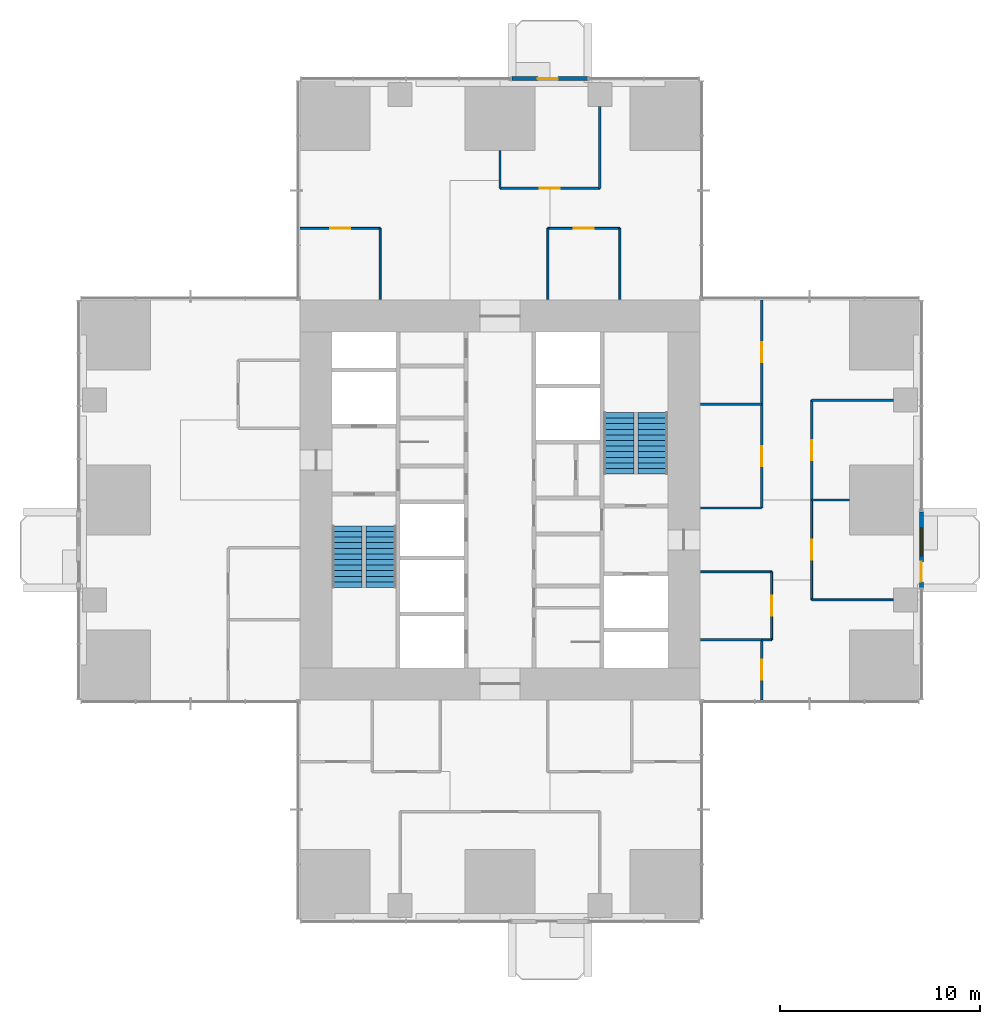
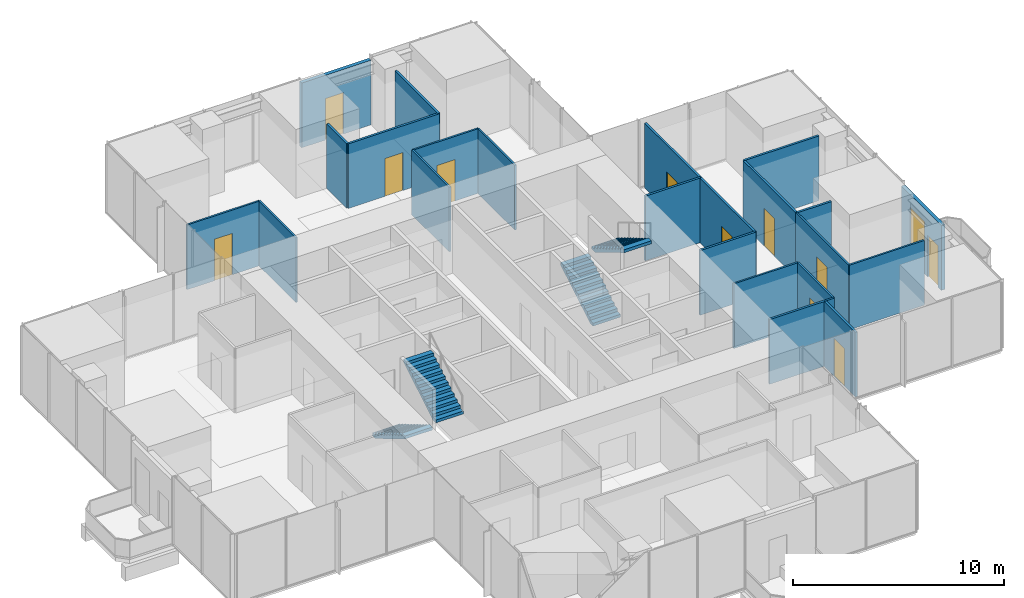
# One storey, part 10 of 13: 24 walls, 11 doors, 4 stair flights, 1 window, 12 openings, 2 elements without a shape of their own.
"""IFC4 building model written with IfcOpenShell, lengths in metres."""

from ifc_helpers import new_model, si_unit, direction, frame, frame_2d, origin, place, context, subcontext, project, spatial, polyline, rectangle, outline, extrude, material, layer, layer_set, type_object, element, fill, aggregate, save


model = new_model("IFC4")

# Units and contexts
model_context = context("Model", 3, precision=1e-05, world=origin(), true_north=direction((0.0, 1.0)))
body_context = subcontext(model_context, "Body", "Model", "MODEL_VIEW")
ifc_project = project(units=[si_unit("LENGTHUNIT", "METRE"), si_unit("AREAUNIT", "SQUARE_METRE"), si_unit("VOLUMEUNIT", "CUBIC_METRE"), si_unit("PLANEANGLEUNIT", "RADIAN"), si_unit("MASSUNIT", "GRAM", prefix="KILO")], contexts=[model_context])

# Site, building, storey
site_placement = place(None, origin())
site = spatial("IfcSite", under=ifc_project, at=site_placement, CompositionType="ELEMENT")
building_placement = place(site_placement, origin())
building = spatial("IfcBuilding", under=site, at=building_placement, Name="Svetlomir Tower", CompositionType="ELEMENT")
storey_placement = place(building_placement, frame((0.0, 0.0, 96.5)))
storey = spatial("IfcBuildingStorey", under=building, at=storey_placement, Name="L22", CompositionType="ELEMENT", Elevation=96.5)

# Wall, openings, door, window
ifc_material_1 = material(Name="Bronze anodised aluminium glazed screen", Category="aluminium")
ifc_layer_1 = layer(ifc_material_1, 0.199951171875)
ifc_layer_set_1 = layer_set([ifc_layer_1], Name="Bronze anodised aluminium glazed screen")
wall_type_1 = type_object("IfcWallType", Name="BALCONY SCREEN WALL 200", PredefinedType="USERDEFINED", material=ifc_layer_set_1)
wall_1_placement = place(storey_placement, frame((42.10009765625, 16.60009765625, 0.0), z_axis=(0.0, 0.0, 1.0), x_axis=(0.0, 1.0, 0.0)))
wall_1 = element("IfcWall", 1, at=wall_1_placement, inside=storey, type_object=wall_type_1, Name="Balcony screen E", ObjectType="GLAZED SCREEN", PredefinedType="USERDEFINED", context=body_context, shape_type="SweptSolid", body=[
    extrude(rectangle(XDim=3.7998046875, YDim=0.199951171875, at=frame_2d((1.89990234375, 0.0))), origin(), (0.0, 0.0, 1.0), 3.75),
])
opening_1_placement = place(wall_1_placement, frame((0.300048828125, 0.0, 0.0)))
opening_1 = element("IfcOpeningElement", 2, at=opening_1_placement, cuts=wall_1, Name="Opening BD", PredefinedType="OPENING", context=body_context, shape_type="SweptSolid", body=[
    extrude(rectangle(XDim=1.0, YDim=2.39990234375, at=frame_2d((0.5, 1.199951171875))), frame((0.0, 0.10986328125, 0.0), z_axis=(0.0, -1.0, 0.0), x_axis=(1.0, 0.0, 0.0)), (0.0, 0.0, 1.0), 0.219970703125),
])
opening_2_placement = place(wall_1_placement, frame((1.60009765625, 0.0, 0.300048828125)))
opening_2 = element("IfcOpeningElement", 3, at=opening_2_placement, cuts=wall_1, Name="Opening WS2", PredefinedType="OPENING", context=body_context, shape_type="SweptSolid", body=[
    extrude(rectangle(XDim=1.39990234375, YDim=2.699951171875, at=frame_2d((0.699951171875, 1.35009765625))), frame((0.0, 0.10986328125, 0.0), z_axis=(0.0, -1.0, 0.0), x_axis=(1.0, 0.0, 0.0)), (0.0, 0.0, 1.0), 0.219970703125),
])
ifc_material_2 = material(Name="Bronze anodised aluminium glazed door", Category="aluminium")
door_type_1 = type_object("IfcDoorType", Name="BALCONY DOOR BD 1000x2400", OperationType="SINGLE_SWING_LEFT", PredefinedType="DOOR", material=ifc_material_2)
door_1_placement = place(opening_1_placement, origin())
door_1 = element("IfcDoor", 4, at=door_1_placement, inside=storey, type_object=door_type_1, Name="Balcony screen E door", OperationType="SINGLE_SWING_LEFT", OverallHeight=2.39990234375, OverallWidth=1.0, PredefinedType="DOOR", context=body_context, shape_type="SweptSolid", body=[
    extrude(rectangle(XDim=1.0, YDim=2.39990234375, at=frame_2d((0.5, 1.199951171875))), frame((0.0, 0.02490234375, 0.0), z_axis=(0.0, -1.0, 0.0), x_axis=(1.0, 0.0, 0.0)), (0.0, 0.0, 1.0), 0.050048828125),
])
fill(opening_1, door_1)
ifc_material_3 = material(Name="Bronze anodised aluminium window", Category="aluminium")
window_type = type_object("IfcWindowType", Name="SCREEN WINDOW WS2 1400x2700", PartitioningType="SINGLE_PANEL", PredefinedType="WINDOW", material=ifc_material_3)
window_placement = place(opening_2_placement, origin())
window = element("IfcWindow", 5, at=window_placement, inside=storey, type_object=window_type, Name="Balcony screen E window 1", OverallHeight=2.699951171875, OverallWidth=1.39990234375, PartitioningType="SINGLE_PANEL", PredefinedType="WINDOW", context=body_context, shape_type="SweptSolid", body=[
    extrude(rectangle(XDim=1.39990234375, YDim=2.699951171875, at=frame_2d((0.699951171875, 1.35009765625))), frame((0.0, 0.030029296875, 0.0), z_axis=(0.0, -1.0, 0.0), x_axis=(1.0, 0.0, 0.0)), (0.0, 0.0, 1.0), 0.06005859375),
])
fill(opening_2, window)

# Wall, opening, door
wall_2_placement = place(storey_placement, frame((25.39990234375, 42.10009765625, 0.0), z_axis=(0.0, 0.0, 1.0), x_axis=(-1.0, 0.0, 0.0)))
wall_2 = element("IfcWall", 6, at=wall_2_placement, inside=storey, type_object=wall_type_1, Name="Balcony screen N", ObjectType="GLAZED SCREEN", PredefinedType="USERDEFINED", context=body_context, shape_type="SweptSolid", body=[
    extrude(rectangle(XDim=3.7998046875, YDim=0.199951171875, at=frame_2d((1.89990234375, 0.0))), origin(), (0.0, 0.0, 1.0), 3.75),
])
opening_3_placement = place(wall_2_placement, frame((1.5, 0.0, 0.0)))
opening_3 = element("IfcOpeningElement", 7, at=opening_3_placement, cuts=wall_2, Name="Opening BD", PredefinedType="OPENING", context=body_context, shape_type="SweptSolid", body=[
    extrude(rectangle(XDim=1.0, YDim=2.39990234375, at=frame_2d((0.5, 1.199951171875))), frame((0.0, 0.10986328125, 0.0), z_axis=(0.0, -1.0, 0.0), x_axis=(1.0, 0.0, 0.0)), (0.0, 0.0, 1.0), 0.219970703125),
])
door_2_placement = place(opening_3_placement, origin())
door_2 = element("IfcDoor", 8, at=door_2_placement, inside=storey, type_object=door_type_1, Name="Balcony screen N door", OperationType="SINGLE_SWING_LEFT", OverallHeight=2.39990234375, OverallWidth=1.0, PredefinedType="DOOR", context=body_context, shape_type="SweptSolid", body=[
    extrude(rectangle(XDim=1.0, YDim=2.39990234375, at=frame_2d((0.5, 1.199951171875))), frame((0.0, 0.02490234375, 0.0), z_axis=(0.0, -1.0, 0.0), x_axis=(1.0, 0.0, 0.0)), (0.0, 0.0, 1.0), 0.050048828125),
])
fill(opening_3, door_2)

ifc_material_4 = material(Name="Framed laminated glass partition", Category="glass")
ifc_layer_2 = layer(ifc_material_4, 0.10009765625)
ifc_layer_set_2 = layer_set([ifc_layer_2], Name="Framed laminated glass partition")
wall_type_2 = type_object("IfcWallType", Name="GLAZED PARTITION 100", PredefinedType="PARTITIONING", material=ifc_layer_set_2)
wall_3_placement = place(storey_placement, frame((11.0, 34.60009765625, 0.0), z_axis=(0.0, 0.0, 1.0), x_axis=(1.0, 0.0, 0.0)))
wall_3 = element("IfcWall", 9, at=wall_3_placement, inside=storey, type_object=wall_type_2, Name="Glazed partition L22", PredefinedType="PARTITIONING", context=body_context, shape_type="SweptSolid", body=[
    extrude(rectangle(XDim=4.0, YDim=0.10009765625, at=frame_2d((2.0, 0.0))), origin(), (0.0, 0.0, 1.0), 3.75),
])
opening_4_placement = place(wall_3_placement, frame((1.5, 0.0, 0.0)))
opening_4 = element("IfcOpeningElement", 10, at=opening_4_placement, cuts=wall_3, Name="Opening DG", PredefinedType="OPENING", context=body_context, shape_type="SweptSolid", body=[
    extrude(rectangle(XDim=1.0, YDim=2.39990234375, at=frame_2d((0.5, 1.199951171875))), frame((0.0, 0.06005859375, 0.0), z_axis=(0.0, -1.0, 0.0), x_axis=(1.0, 0.0, 0.0)), (0.0, 0.0, 1.0), 0.1201171875),
])
ifc_material_5 = material(Name="Framed laminated glass door", Category="glass")
door_type_2 = type_object("IfcDoorType", Name="GLAZED DOOR DG 1000x2400", OperationType="SINGLE_SWING_LEFT", PredefinedType="DOOR", material=ifc_material_5)
door_3_placement = place(opening_4_placement, origin())
door_3 = element("IfcDoor", 11, at=door_3_placement, inside=storey, type_object=door_type_2, Name="Client advisory room, 8 seats door L22", OperationType="SINGLE_SWING_RIGHT", OverallHeight=2.39990234375, OverallWidth=1.0, PredefinedType="DOOR", context=body_context, shape_type="SweptSolid", body=[
    extrude(rectangle(XDim=1.0, YDim=2.39990234375, at=frame_2d((0.5, 1.199951171875))), frame((0.0, 0.02490234375, 0.0), z_axis=(0.0, -1.0, 0.0), x_axis=(1.0, 0.0, 0.0)), (0.0, 0.0, 1.0), 0.050048828125),
])
fill(opening_4, door_3)

# Walls
for number, where, z_axis, x_axis, name in (
    (12, (15.0, 31.050048828125, 0.0), (0.0, 0.0, 1.0), (0.0, 1.0, 0.0), "Glazed partition L22"),
    (13, (23.39990234375, 31.050048828125, 0.0), (0.0, 0.0, 1.0), (0.0, 1.0, 0.0), "Glazed partition L22"),
):
    element("IfcWall", number, at=place(storey_placement, frame(where, z_axis=z_axis, x_axis=x_axis)), inside=storey, type_object=wall_type_2, Name=name, PredefinedType="PARTITIONING", context=body_context, shape_type="SweptSolid", body=[
        extrude(rectangle(XDim=3.550048828125, YDim=0.10009765625, at=frame_2d((1.77490234375, 0.0))), origin(), (0.0, 0.0, 1.0), 3.75),
    ])

# Wall, opening, door
wall_4_placement = place(storey_placement, frame((23.39990234375, 34.60009765625, 0.0), z_axis=(0.0, 0.0, 1.0), x_axis=(1.0, 0.0, 0.0)))
wall_4 = element("IfcWall", 14, at=wall_4_placement, inside=storey, type_object=wall_type_2, Name="Glazed partition L22", PredefinedType="PARTITIONING", context=body_context, shape_type="SweptSolid", body=[
    extrude(rectangle(XDim=3.60009765625, YDim=0.10009765625, at=frame_2d((1.800048828125, 0.0))), origin(), (0.0, 0.0, 1.0), 3.75),
])
opening_5_placement = place(wall_4_placement, frame((1.300048828125, 0.0, 0.0)))
opening_5 = element("IfcOpeningElement", 15, at=opening_5_placement, cuts=wall_4, Name="Opening DG", PredefinedType="OPENING", context=body_context, shape_type="SweptSolid", body=[
    extrude(rectangle(XDim=1.0, YDim=2.39990234375, at=frame_2d((0.5, 1.199951171875))), frame((0.0, 0.06005859375, 0.0), z_axis=(0.0, -1.0, 0.0), x_axis=(1.0, 0.0, 0.0)), (0.0, 0.0, 1.0), 0.1201171875),
])
door_4_placement = place(opening_5_placement, origin())
door_4 = element("IfcDoor", 16, at=door_4_placement, inside=storey, type_object=door_type_2, Name="Focus room 2 door L22", OperationType="SINGLE_SWING_LEFT", OverallHeight=2.39990234375, OverallWidth=1.0, PredefinedType="DOOR", context=body_context, shape_type="SweptSolid", body=[
    extrude(rectangle(XDim=1.0, YDim=2.39990234375, at=frame_2d((0.5, 1.199951171875))), frame((0.0, 0.02490234375, 0.0), z_axis=(0.0, -1.0, 0.0), x_axis=(1.0, 0.0, 0.0)), (0.0, 0.0, 1.0), 0.050048828125),
])
fill(opening_5, door_4)

# Walls
for number, where, z_axis, x_axis, name in (
    (17, (27.0, 31.050048828125, 0.0), (0.0, 0.0, 1.0), (0.0, 1.0, 0.0), "Glazed partition L22"),
    (18, (31.050048828125, 17.39990234375, 0.0), (0.0, 0.0, 1.0), (1.0, 0.0, 0.0), "Glazed partition L22"),
):
    element("IfcWall", number, at=place(storey_placement, frame(where, z_axis=z_axis, x_axis=x_axis)), inside=storey, type_object=wall_type_2, Name=name, PredefinedType="PARTITIONING", context=body_context, shape_type="SweptSolid", body=[
        extrude(rectangle(XDim=3.550048828125, YDim=0.10009765625, at=frame_2d((1.77490234375, 0.0))), origin(), (0.0, 0.0, 1.0), 3.75),
    ])
wall_5_placement = place(storey_placement, frame((34.10009765625, 14.0, 0.0), z_axis=(0.0, 0.0, 1.0), x_axis=(1.0, 0.0, 0.0)))
element("IfcWall", 19, at=wall_5_placement, inside=storey, type_object=wall_type_2, Name="Glazed partition L22", PredefinedType="PARTITIONING", context=body_context, shape_type="SweptSolid", body=[
    extrude(rectangle(XDim=0.5, YDim=0.10009765625, at=frame_2d((0.25, 0.0))), origin(), (0.0, 0.0, 1.0), 3.75),
])

# Wall, opening, door
wall_6_placement = place(storey_placement, frame((34.60009765625, 14.0, 0.0), z_axis=(0.0, 0.0, 1.0), x_axis=(0.0, 1.0, 0.0)))
wall_6 = element("IfcWall", 20, at=wall_6_placement, inside=storey, type_object=wall_type_2, Name="Glazed partition L22", PredefinedType="PARTITIONING", context=body_context, shape_type="SweptSolid", body=[
    extrude(rectangle(XDim=3.39990234375, YDim=0.10009765625, at=frame_2d((1.699951171875, 0.0))), origin(), (0.0, 0.0, 1.0), 3.75),
])
opening_6_placement = place(wall_6_placement, frame((1.199951171875, 0.0, 0.0)))
opening_6 = element("IfcOpeningElement", 21, at=opening_6_placement, cuts=wall_6, Name="Opening DG", PredefinedType="OPENING", context=body_context, shape_type="SweptSolid", body=[
    extrude(rectangle(XDim=1.0, YDim=2.39990234375, at=frame_2d((0.5, 1.199951171875))), frame((0.0, 0.06005859375, 0.0), z_axis=(0.0, -1.0, 0.0), x_axis=(1.0, 0.0, 0.0)), (0.0, 0.0, 1.0), 0.1201171875),
])
door_5_placement = place(opening_6_placement, origin())
door_5 = element("IfcDoor", 22, at=door_5_placement, inside=storey, type_object=door_type_2, Name="Focus room 1 door L22", OperationType="SINGLE_SWING_LEFT", OverallHeight=2.39990234375, OverallWidth=1.0, PredefinedType="DOOR", context=body_context, shape_type="SweptSolid", body=[
    extrude(rectangle(XDim=1.0, YDim=2.39990234375, at=frame_2d((0.5, 1.199951171875))), frame((0.0, 0.02490234375, 0.0), z_axis=(0.0, -1.0, 0.0), x_axis=(1.0, 0.0, 0.0)), (0.0, 0.0, 1.0), 0.050048828125),
])
fill(opening_6, door_5)

wall_7_placement = place(storey_placement, frame((36.60009765625, 16.0, 0.0), z_axis=(0.0, 0.0, 1.0), x_axis=(0.0, 1.0, 0.0)))
wall_7 = element("IfcWall", 23, at=wall_7_placement, inside=storey, type_object=wall_type_2, Name="Glazed partition L22", PredefinedType="PARTITIONING", context=body_context, shape_type="SweptSolid", body=[
    extrude(rectangle(XDim=5.0, YDim=0.10009765625, at=frame_2d((2.5, 0.0))), origin(), (0.0, 0.0, 1.0), 3.75),
])
opening_7_placement = place(wall_7_placement, frame((2.0, 0.0, 0.0)))
opening_7 = element("IfcOpeningElement", 24, at=opening_7_placement, cuts=wall_7, Name="Opening DG", PredefinedType="OPENING", context=body_context, shape_type="SweptSolid", body=[
    extrude(rectangle(XDim=1.0, YDim=2.39990234375, at=frame_2d((0.5, 1.199951171875))), frame((0.0, 0.06005859375, 0.0), z_axis=(0.0, -1.0, 0.0), x_axis=(1.0, 0.0, 0.0)), (0.0, 0.0, 1.0), 0.1201171875),
])
door_6_placement = place(opening_7_placement, origin())
door_6 = element("IfcDoor", 25, at=door_6_placement, inside=storey, type_object=door_type_2, Name="Client lounge door L22", OperationType="SINGLE_SWING_LEFT", OverallHeight=2.39990234375, OverallWidth=1.0, PredefinedType="DOOR", context=body_context, shape_type="SweptSolid", body=[
    extrude(rectangle(XDim=1.0, YDim=2.39990234375, at=frame_2d((0.5, 1.199951171875))), frame((0.0, 0.02490234375, 0.0), z_axis=(0.0, -1.0, 0.0), x_axis=(1.0, 0.0, 0.0)), (0.0, 0.0, 1.0), 0.050048828125),
])
fill(opening_7, door_6)

# Walls
wall_8_placement = place(storey_placement, frame((36.60009765625, 16.0, 0.0), z_axis=(0.0, 0.0, 1.0), x_axis=(1.0, 0.0, 0.0)))
element("IfcWall", 26, at=wall_8_placement, inside=storey, type_object=wall_type_2, Name="Glazed partition L22", PredefinedType="PARTITIONING", context=body_context, shape_type="SweptSolid", body=[
    extrude(rectangle(XDim=4.08984375, YDim=0.10009765625, at=frame_2d((2.044921875, 0.0))), origin(), (0.0, 0.0, 1.0), 3.75),
])
ifc_material_6 = material(Name="Gypsum board on steel studs", Category="steel")
ifc_layer_3 = layer(ifc_material_6, 0.1201171875)
ifc_layer_set_3 = layer_set([ifc_layer_3], Name="Gypsum board on steel studs")
wall_type_3 = type_object("IfcWallType", Name="PARTITION 120", PredefinedType="PARTITIONING", material=ifc_layer_set_3)
wall_9_placement = place(storey_placement, frame((21.0, 36.60009765625, 0.0), z_axis=(0.0, 0.0, 1.0), x_axis=(0.0, 1.0, 0.0)))
element("IfcWall", 27, at=wall_9_placement, inside=storey, type_object=wall_type_3, Name="Partition L22", PredefinedType="PARTITIONING", context=body_context, shape_type="SweptSolid", body=[
    extrude(rectangle(XDim=1.889892578125, YDim=0.1201171875, at=frame_2d((0.94482421875, 0.0))), origin(), (0.0, 0.0, 1.0), 3.75),
])

# Wall, opening, door
wall_10_placement = place(storey_placement, frame((21.0, 36.60009765625, 0.0), z_axis=(0.0, 0.0, 1.0), x_axis=(1.0, 0.0, 0.0)))
wall_10 = element("IfcWall", 28, at=wall_10_placement, inside=storey, type_object=wall_type_3, Name="Partition L22", PredefinedType="PARTITIONING", context=body_context, shape_type="SweptSolid", body=[
    extrude(rectangle(XDim=5.0, YDim=0.1201171875, at=frame_2d((2.5, 0.0))), origin(), (0.0, 0.0, 1.0), 3.75),
])
opening_8_placement = place(wall_10_placement, frame((2.0, 0.0, 0.0)))
opening_8 = element("IfcOpeningElement", 29, at=opening_8_placement, cuts=wall_10, Name="Opening DR", PredefinedType="OPENING", context=body_context, shape_type="SweptSolid", body=[
    extrude(rectangle(XDim=1.0, YDim=2.199951171875, at=frame_2d((0.5, 1.10009765625))), frame((0.0, 0.070068359375, 0.0), z_axis=(0.0, -1.0, 0.0), x_axis=(1.0, 0.0, 0.0)), (0.0, 0.0, 1.0), 0.14013671875),
])
ifc_material_7 = material(Name="Timber door, glazed side light", Category="wood")
door_type_3 = type_object("IfcDoorType", Name="DOOR DR 1000x2200", OperationType="SINGLE_SWING_LEFT", PredefinedType="DOOR", material=ifc_material_7)
door_7_placement = place(opening_8_placement, origin())
door_7 = element("IfcDoor", 30, at=door_7_placement, inside=storey, type_object=door_type_3, Name="Client service office door L22", OperationType="SINGLE_SWING_LEFT", OverallHeight=2.199951171875, OverallWidth=1.0, PredefinedType="DOOR", context=body_context, shape_type="SweptSolid", body=[
    extrude(rectangle(XDim=1.0, YDim=2.199951171875, at=frame_2d((0.5, 1.10009765625))), frame((0.0, 0.02490234375, 0.0), z_axis=(0.0, -1.0, 0.0), x_axis=(1.0, 0.0, 0.0)), (0.0, 0.0, 1.0), 0.050048828125),
])
fill(opening_8, door_7)

# Walls
wall_11_placement = place(storey_placement, frame((26.0, 36.60009765625, 0.0), z_axis=(0.0, 0.0, 1.0), x_axis=(0.0, 1.0, 0.0)))
element("IfcWall", 31, at=wall_11_placement, inside=storey, type_object=wall_type_3, Name="Partition L22", PredefinedType="PARTITIONING", context=body_context, shape_type="SweptSolid", body=[
    extrude(rectangle(XDim=4.08984375, YDim=0.1201171875, at=frame_2d((2.044921875, 0.0))), origin(), (0.0, 0.0, 1.0), 3.75),
])
for number, where, z_axis, x_axis, name in (
    (32, (31.050048828125, 14.0, 0.0), (0.0, 0.0, 1.0), (1.0, 0.0, 0.0), "Partition L22"),
    (33, (31.050048828125, 20.60009765625, 0.0), (0.0, 0.0, 1.0), (1.0, 0.0, 0.0), "Partition L22"),
    (34, (31.050048828125, 25.800048828125, 0.0), (0.0, 0.0, 1.0), (1.0, 0.0, 0.0), "Partition L22"),
):
    element("IfcWall", number, at=place(storey_placement, frame(where, z_axis=z_axis, x_axis=x_axis)), inside=storey, type_object=wall_type_3, Name=name, PredefinedType="PARTITIONING", context=body_context, shape_type="SweptSolid", body=[
        extrude(rectangle(XDim=3.050048828125, YDim=0.1201171875, at=frame_2d((1.52490234375, 0.0))), origin(), (0.0, 0.0, 1.0), 3.75),
    ])

# Wall, opening, door
wall_12_placement = place(storey_placement, frame((34.10009765625, 11.0, 0.0), z_axis=(0.0, 0.0, 1.0), x_axis=(0.0, 1.0, 0.0)))
wall_12 = element("IfcWall", 35, at=wall_12_placement, inside=storey, type_object=wall_type_3, Name="Partition L22", PredefinedType="PARTITIONING", context=body_context, shape_type="SweptSolid", body=[
    extrude(rectangle(XDim=3.0, YDim=0.1201171875, at=frame_2d((1.5, 0.0))), origin(), (0.0, 0.0, 1.0), 3.75),
])
opening_9_placement = place(wall_12_placement, frame((1.0, 0.0, 0.0)))
opening_9 = element("IfcOpeningElement", 36, at=opening_9_placement, cuts=wall_12, Name="Opening DR", PredefinedType="OPENING", context=body_context, shape_type="SweptSolid", body=[
    extrude(rectangle(XDim=1.0, YDim=2.199951171875, at=frame_2d((0.5, 1.10009765625))), frame((0.0, 0.070068359375, 0.0), z_axis=(0.0, -1.0, 0.0), x_axis=(1.0, 0.0, 0.0)), (0.0, 0.0, 1.0), 0.14013671875),
])
door_8_placement = place(opening_9_placement, origin())
door_8 = element("IfcDoor", 37, at=door_8_placement, inside=storey, type_object=door_type_3, Name="Print and copy room door L22", OperationType="SINGLE_SWING_RIGHT", OverallHeight=2.199951171875, OverallWidth=1.0, PredefinedType="DOOR", context=body_context, shape_type="SweptSolid", body=[
    extrude(rectangle(XDim=1.0, YDim=2.199951171875, at=frame_2d((0.5, 1.10009765625))), frame((0.0, 0.02490234375, 0.0), z_axis=(0.0, -1.0, 0.0), x_axis=(1.0, 0.0, 0.0)), (0.0, 0.0, 1.0), 0.050048828125),
])
fill(opening_9, door_8)

wall_13_placement = place(storey_placement, frame((34.10009765625, 20.60009765625, 0.0), z_axis=(0.0, 0.0, 1.0), x_axis=(0.0, 1.0, 0.0)))
wall_13 = element("IfcWall", 38, at=wall_13_placement, inside=storey, type_object=wall_type_3, Name="Partition L22", PredefinedType="PARTITIONING", context=body_context, shape_type="SweptSolid", body=[
    extrude(rectangle(XDim=5.199951171875, YDim=0.1201171875, at=frame_2d((2.60009765625, 0.0))), origin(), (0.0, 0.0, 1.0), 3.75),
])
opening_10_placement = place(wall_13_placement, frame((2.10009765625, 0.0, 0.0)))
opening_10 = element("IfcOpeningElement", 39, at=opening_10_placement, cuts=wall_13, Name="Opening DR", PredefinedType="OPENING", context=body_context, shape_type="SweptSolid", body=[
    extrude(rectangle(XDim=1.0, YDim=2.199951171875, at=frame_2d((0.5, 1.10009765625))), frame((0.0, 0.070068359375, 0.0), z_axis=(0.0, -1.0, 0.0), x_axis=(1.0, 0.0, 0.0)), (0.0, 0.0, 1.0), 0.14013671875),
])
door_9_placement = place(opening_10_placement, origin())
door_9 = element("IfcDoor", 40, at=door_9_placement, inside=storey, type_object=door_type_3, Name="File store door L22", OperationType="SINGLE_SWING_RIGHT", OverallHeight=2.199951171875, OverallWidth=1.0, PredefinedType="DOOR", context=body_context, shape_type="SweptSolid", body=[
    extrude(rectangle(XDim=1.0, YDim=2.199951171875, at=frame_2d((0.5, 1.10009765625))), frame((0.0, 0.02490234375, 0.0), z_axis=(0.0, -1.0, 0.0), x_axis=(1.0, 0.0, 0.0)), (0.0, 0.0, 1.0), 0.050048828125),
])
fill(opening_10, door_9)

wall_14_placement = place(storey_placement, frame((34.10009765625, 25.800048828125, 0.0), z_axis=(0.0, 0.0, 1.0), x_axis=(0.0, 1.0, 0.0)))
wall_14 = element("IfcWall", 41, at=wall_14_placement, inside=storey, type_object=wall_type_3, Name="Partition L22", PredefinedType="PARTITIONING", context=body_context, shape_type="SweptSolid", body=[
    extrude(rectangle(XDim=5.199951171875, YDim=0.1201171875, at=frame_2d((2.60009765625, 0.0))), origin(), (0.0, 0.0, 1.0), 3.75),
])
opening_11_placement = place(wall_14_placement, frame((2.10009765625, 0.0, 0.0)))
opening_11 = element("IfcOpeningElement", 42, at=opening_11_placement, cuts=wall_14, Name="Opening DR", PredefinedType="OPENING", context=body_context, shape_type="SweptSolid", body=[
    extrude(rectangle(XDim=1.0, YDim=2.199951171875, at=frame_2d((0.5, 1.10009765625))), frame((0.0, 0.070068359375, 0.0), z_axis=(0.0, -1.0, 0.0), x_axis=(1.0, 0.0, 0.0)), (0.0, 0.0, 1.0), 0.14013671875),
])
door_10_placement = place(opening_11_placement, origin())
door_10 = element("IfcDoor", 43, at=door_10_placement, inside=storey, type_object=door_type_3, Name="Records store door L22", OperationType="SINGLE_SWING_LEFT", OverallHeight=2.199951171875, OverallWidth=1.0, PredefinedType="DOOR", context=body_context, shape_type="SweptSolid", body=[
    extrude(rectangle(XDim=1.0, YDim=2.199951171875, at=frame_2d((0.5, 1.10009765625))), frame((0.0, 0.02490234375, 0.0), z_axis=(0.0, -1.0, 0.0), x_axis=(1.0, 0.0, 0.0)), (0.0, 0.0, 1.0), 0.050048828125),
])
fill(opening_11, door_10)

wall_15_placement = place(storey_placement, frame((36.60009765625, 21.0, 0.0), z_axis=(0.0, 0.0, 1.0), x_axis=(0.0, 1.0, 0.0)))
wall_15 = element("IfcWall", 44, at=wall_15_placement, inside=storey, type_object=wall_type_3, Name="Partition L22", PredefinedType="PARTITIONING", context=body_context, shape_type="SweptSolid", body=[
    extrude(rectangle(XDim=5.0, YDim=0.1201171875, at=frame_2d((2.5, 0.0))), origin(), (0.0, 0.0, 1.0), 3.75),
])
opening_12_placement = place(wall_15_placement, frame((2.0, 0.0, 0.0)))
opening_12 = element("IfcOpeningElement", 45, at=opening_12_placement, cuts=wall_15, Name="Opening DR", PredefinedType="OPENING", context=body_context, shape_type="SweptSolid", body=[
    extrude(rectangle(XDim=1.0, YDim=2.199951171875, at=frame_2d((0.5, 1.10009765625))), frame((0.0, 0.070068359375, 0.0), z_axis=(0.0, -1.0, 0.0), x_axis=(1.0, 0.0, 0.0)), (0.0, 0.0, 1.0), 0.14013671875),
])
door_11_placement = place(opening_12_placement, origin())
door_11 = element("IfcDoor", 46, at=door_11_placement, inside=storey, type_object=door_type_3, Name="Relationship manager office door L22", OperationType="SINGLE_SWING_LEFT", OverallHeight=2.199951171875, OverallWidth=1.0, PredefinedType="DOOR", context=body_context, shape_type="SweptSolid", body=[
    extrude(rectangle(XDim=1.0, YDim=2.199951171875, at=frame_2d((0.5, 1.10009765625))), frame((0.0, 0.02490234375, 0.0), z_axis=(0.0, -1.0, 0.0), x_axis=(1.0, 0.0, 0.0)), (0.0, 0.0, 1.0), 0.050048828125),
])
fill(opening_12, door_11)

# Walls
wall_16_placement = place(storey_placement, frame((36.60009765625, 21.0, 0.0), z_axis=(0.0, 0.0, 1.0), x_axis=(1.0, 0.0, 0.0)))
element("IfcWall", 47, at=wall_16_placement, inside=storey, type_object=wall_type_3, Name="Partition L22", PredefinedType="PARTITIONING", context=body_context, shape_type="SweptSolid", body=[
    extrude(rectangle(XDim=1.889892578125, YDim=0.1201171875, at=frame_2d((0.94482421875, 0.0))), origin(), (0.0, 0.0, 1.0), 3.75),
])
wall_17_placement = place(storey_placement, frame((36.60009765625, 26.0, 0.0), z_axis=(0.0, 0.0, 1.0), x_axis=(1.0, 0.0, 0.0)))
element("IfcWall", 48, at=wall_17_placement, inside=storey, type_object=wall_type_3, Name="Partition L22", PredefinedType="PARTITIONING", context=body_context, shape_type="SweptSolid", body=[
    extrude(rectangle(XDim=4.08984375, YDim=0.1201171875, at=frame_2d((2.044921875, 0.0))), origin(), (0.0, 0.0, 1.0), 3.75),
])

# Stair, stair flights
ifc_material_8 = material(Name="Concrete C60/75", Category="concrete")
stair_type = type_object("IfcStairType", Name="EXIT STAIR 3200 RISE 4000", PredefinedType="HALF_TURN_STAIR", material=ifc_material_8)
stair_1_placement = place(storey_placement, origin())
stair_1 = element("IfcStair", 49, at=stair_1_placement, inside=storey, type_object=stair_type, Name="Stair S1 L22 to L23", PredefinedType="HALF_TURN_STAIR")
ifc_material_9 = material(Name="Concrete C60/75", Category="concrete")
stair_flight_type = type_object("IfcStairFlightType", Name="STAIR FLIGHT 1500 OF 12 RISERS", PredefinedType="STRAIGHT", material=ifc_material_9)
stair_flight_1_placement = place(storey_placement, frame((13.35009765625, 19.699951171875, 0.0), z_axis=(0.0, 0.0, 1.0), x_axis=(0.0, -1.0, 0.0)))
stair_flight_1 = element("IfcStairFlight", 50, at=stair_flight_1_placement, type_object=stair_flight_type, Name="S1 flight 1", NumberOfRisers=12, NumberOfTreads=11, PredefinedType="STRAIGHT", RiserHeight=0.166666667, TreadLength=0.28, context=body_context, shape_type="SweptSolid", body=[
    extrude(outline(polyline([(0.0, 0.0), (0.0, 0.166748046875), (0.280029296875, 0.166748046875), (0.280029296875, 0.333251953125), (0.56005859375, 0.333251953125), (0.56005859375, 0.5), (0.840087890625, 0.5), (0.840087890625, 0.666748046875), (1.1201171875, 0.666748046875), (1.1201171875, 0.833251953125), (1.39990234375, 0.833251953125), (1.39990234375, 1.0), (1.679931640625, 1.0), (1.679931640625, 1.166748046875), (1.9599609375, 1.166748046875), (1.9599609375, 1.333251953125), (2.239990234375, 1.333251953125), (2.239990234375, 1.5), (2.52001953125, 1.5), (2.52001953125, 1.666748046875), (2.800048828125, 1.666748046875), (2.800048828125, 1.833251953125), (3.080078125, 1.833251953125), (3.080078125, 2.0), (3.080078125, 1.658935546875), (0.29296875, 0.0), (0.0, 0.0)])), frame((0.0, 0.75, 0.0), z_axis=(0.0, -1.0, 0.0), x_axis=(1.0, 0.0, 0.0)), (0.0, 0.0, 1.0), 1.5),
])
stair_flight_2_placement = place(storey_placement, frame((15.050048828125, 16.6201171875, 2.0), z_axis=(0.0, 0.0, 1.0), x_axis=(0.0, 1.0, 0.0)))
stair_flight_2 = element("IfcStairFlight", 51, at=stair_flight_2_placement, type_object=stair_flight_type, Name="S1 flight 2", NumberOfRisers=12, NumberOfTreads=11, PredefinedType="STRAIGHT", RiserHeight=0.166666667, TreadLength=0.28, context=body_context, shape_type="SweptSolid", body=[
    extrude(outline(polyline([(0.0, 0.0), (0.0, 0.166748046875), (0.280029296875, 0.166748046875), (0.280029296875, 0.333251953125), (0.56005859375, 0.333251953125), (0.56005859375, 0.5), (0.840087890625, 0.5), (0.840087890625, 0.666748046875), (1.1201171875, 0.666748046875), (1.1201171875, 0.833251953125), (1.39990234375, 0.833251953125), (1.39990234375, 1.0), (1.679931640625, 1.0), (1.679931640625, 1.166748046875), (1.9599609375, 1.166748046875), (1.9599609375, 1.333251953125), (2.239990234375, 1.333251953125), (2.239990234375, 1.5), (2.52001953125, 1.5), (2.52001953125, 1.666748046875), (2.800048828125, 1.666748046875), (2.800048828125, 1.833251953125), (3.080078125, 1.833251953125), (3.080078125, 2.0), (3.080078125, 1.658935546875), (0.29296875, 0.0), (0.0, 0.0)])), frame((0.0, 0.75, 0.0), z_axis=(0.0, -1.0, 0.0), x_axis=(1.0, 0.0, 0.0)), (0.0, 0.0, 1.0), 1.5),
])
aggregate(stair_1, [stair_flight_1, stair_flight_2])

stair_2_placement = place(storey_placement, origin())
stair_2 = element("IfcStair", 52, at=stair_2_placement, inside=storey, type_object=stair_type, Name="Stair S2 L22 to L23", PredefinedType="HALF_TURN_STAIR")
stair_flight_3_placement = place(storey_placement, frame((26.949951171875, 22.300048828125, 0.0), z_axis=(0.0, 0.0, 1.0), x_axis=(0.0, 1.0, 0.0)))
stair_flight_3 = element("IfcStairFlight", 53, at=stair_flight_3_placement, type_object=stair_flight_type, Name="S2 flight 1", NumberOfRisers=12, NumberOfTreads=11, PredefinedType="STRAIGHT", RiserHeight=0.166666667, TreadLength=0.28, context=body_context, shape_type="SweptSolid", body=[
    extrude(outline(polyline([(0.0, 0.0), (0.0, 0.166748046875), (0.280029296875, 0.166748046875), (0.280029296875, 0.333251953125), (0.56005859375, 0.333251953125), (0.56005859375, 0.5), (0.840087890625, 0.5), (0.840087890625, 0.666748046875), (1.1201171875, 0.666748046875), (1.1201171875, 0.833251953125), (1.39990234375, 0.833251953125), (1.39990234375, 1.0), (1.679931640625, 1.0), (1.679931640625, 1.166748046875), (1.9599609375, 1.166748046875), (1.9599609375, 1.333251953125), (2.239990234375, 1.333251953125), (2.239990234375, 1.5), (2.52001953125, 1.5), (2.52001953125, 1.666748046875), (2.800048828125, 1.666748046875), (2.800048828125, 1.833251953125), (3.080078125, 1.833251953125), (3.080078125, 2.0), (3.080078125, 1.658935546875), (0.29296875, 0.0), (0.0, 0.0)])), frame((0.0, 0.75, 0.0), z_axis=(0.0, -1.0, 0.0), x_axis=(1.0, 0.0, 0.0)), (0.0, 0.0, 1.0), 1.5),
])
stair_flight_4_placement = place(storey_placement, frame((28.64990234375, 25.3798828125, 2.0), z_axis=(0.0, 0.0, 1.0), x_axis=(0.0, -1.0, 0.0)))
stair_flight_4 = element("IfcStairFlight", 54, at=stair_flight_4_placement, type_object=stair_flight_type, Name="S2 flight 2", NumberOfRisers=12, NumberOfTreads=11, PredefinedType="STRAIGHT", RiserHeight=0.166666667, TreadLength=0.28, context=body_context, shape_type="SweptSolid", body=[
    extrude(outline(polyline([(0.0, 0.0), (0.0, 0.166748046875), (0.280029296875, 0.166748046875), (0.280029296875, 0.333251953125), (0.56005859375, 0.333251953125), (0.56005859375, 0.5), (0.840087890625, 0.5), (0.840087890625, 0.666748046875), (1.1201171875, 0.666748046875), (1.1201171875, 0.833251953125), (1.39990234375, 0.833251953125), (1.39990234375, 1.0), (1.679931640625, 1.0), (1.679931640625, 1.166748046875), (1.9599609375, 1.166748046875), (1.9599609375, 1.333251953125), (2.239990234375, 1.333251953125), (2.239990234375, 1.5), (2.52001953125, 1.5), (2.52001953125, 1.666748046875), (2.800048828125, 1.666748046875), (2.800048828125, 1.833251953125), (3.080078125, 1.833251953125), (3.080078125, 2.0), (3.080078125, 1.658935546875), (0.29296875, 0.0), (0.0, 0.0)])), frame((0.0, 0.75, 0.0), z_axis=(0.0, -1.0, 0.0), x_axis=(1.0, 0.0, 0.0)), (0.0, 0.0, 1.0), 1.5),
])
aggregate(stair_2, [stair_flight_3, stair_flight_4])

save(model, "model.ifc")
